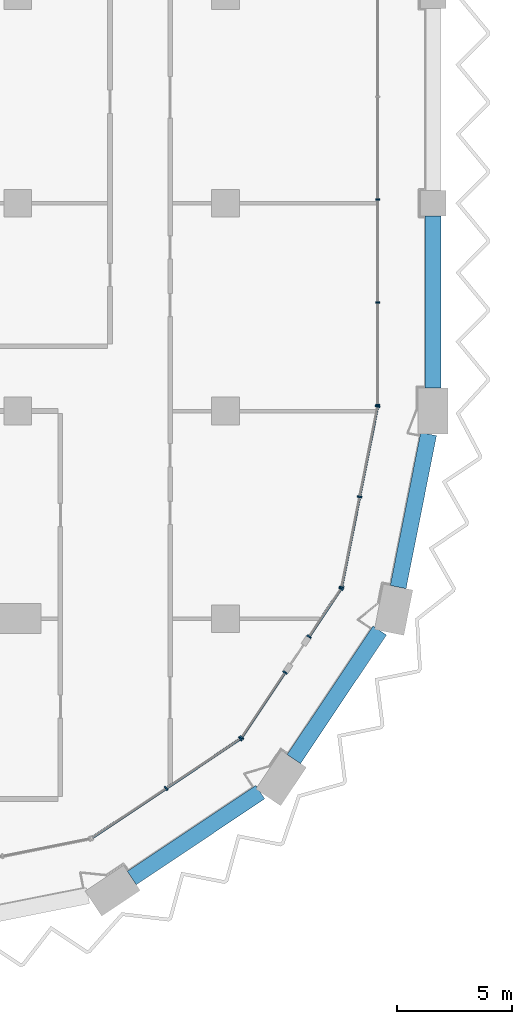
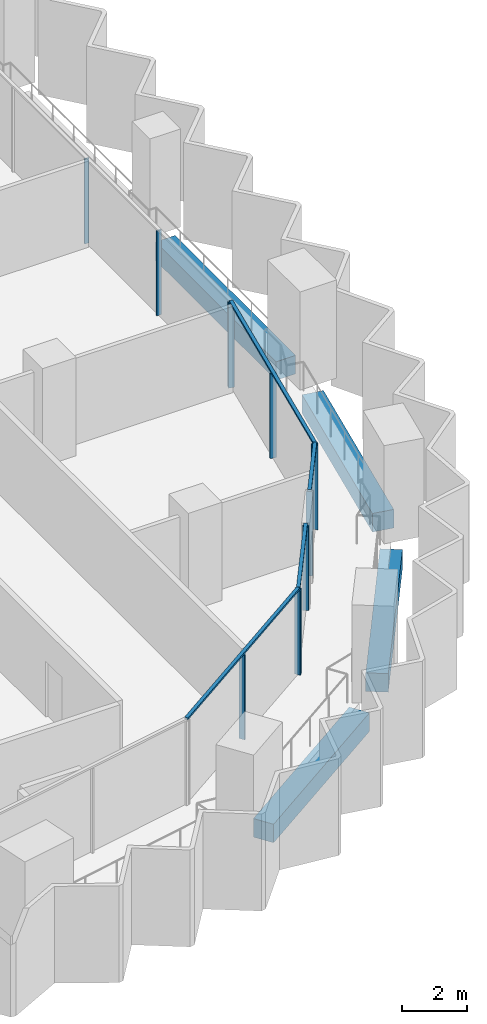
# One storey, part 4 of 22: 16 members, 4 beams, 5 elements without a shape of their own.
"""IFC4 building model written with IfcOpenShell, lengths in metres."""

from ifc_helpers import new_model, si_unit, direction, frame, origin, origin_2d, place, context, subcontext, project, spatial, rectangle, extrude, material, material_profile, profile_set, type_object, element, aggregate, save


model = new_model("IFC4")

# Units and contexts
model_context = context("Model", 3, precision=1e-05, world=origin(), true_north=direction((0.0, 1.0)))
body_context = subcontext(model_context, "Body", "Model", "MODEL_VIEW")
ifc_project = project(units=[si_unit("LENGTHUNIT", "METRE"), si_unit("AREAUNIT", "SQUARE_METRE"), si_unit("VOLUMEUNIT", "CUBIC_METRE"), si_unit("PLANEANGLEUNIT", "RADIAN"), si_unit("MASSUNIT", "GRAM", prefix="KILO")], contexts=[model_context])

# Site, building, storey
site_placement = place(None, origin())
site = spatial("IfcSite", under=ifc_project, at=site_placement, CompositionType="ELEMENT")
building_placement = place(site_placement, origin())
building = spatial("IfcBuilding", under=site, at=building_placement, Name="Hunhe Ridgeline Campus", CompositionType="ELEMENT")
storey_placement = place(building_placement, frame((0.0, 0.0, 174.5)))
storey = spatial("IfcBuildingStorey", under=building, at=storey_placement, Name="L44", CompositionType="ELEMENT", Elevation=174.5)

# Curtain wall, members
ifc_material_1 = material(Name="Aluminium 6063", Category="aluminium")
curtain_wall_type_1 = type_object("IfcCurtainWallType", Name="Curtain wall CW-1", PredefinedType="NOTDEFINED", material=ifc_material_1)
curtain_wall_1_placement = place(storey_placement, origin())
curtain_wall_1 = element("IfcCurtainWall", 1, at=curtain_wall_1_placement, inside=storey, type_object=curtain_wall_type_1, Name="Curtain wall 11", PredefinedType="NOTDEFINED")
ifc_material_profile_1 = material_profile(ifc_material_1, rectangle(XDim=0.159912109375, YDim=0.06005859375, at=origin_2d()))
ifc_profile_set_1 = profile_set([ifc_material_profile_1], Name="Aluminium 6063")
member_type_1 = type_object("IfcMemberType", Name="CW-1 aluminium mullion", PredefinedType="MULLION", material=ifc_profile_set_1)
member_1_placement = place(storey_placement, frame((42.59912109375, 27.266357421875, 0.0), z_axis=(0.0, 0.0, 1.0), x_axis=(-0.99999999999, 4.408911e-06, 0.0)))
member_1 = element("IfcMember", 2, at=member_1_placement, type_object=member_type_1, Name="CW-1 mullion 1", PredefinedType="MULLION", context=body_context, shape_type="SweptSolid", body=[
    extrude(rectangle(XDim=0.159912109375, YDim=0.06005859375, at=origin_2d()), origin(), (0.0, 0.0, 1.0), 3.18994140625),
])
member_2_placement = place(storey_placement, frame((42.59912109375, 31.697021484375, 0.0), z_axis=(0.0, 0.0, 1.0), x_axis=(-0.99999999999, 4.408911e-06, 0.0)))
member_2 = element("IfcMember", 3, at=member_2_placement, type_object=member_type_1, Name="CW-1 mullion 2", PredefinedType="MULLION", context=body_context, shape_type="SweptSolid", body=[
    extrude(rectangle(XDim=0.159912109375, YDim=0.06005859375, at=origin_2d()), origin(), (0.0, 0.0, 1.0), 3.18994140625),
])
member_3_placement = place(storey_placement, frame((42.59912109375, 36.15771484375, 0.0), z_axis=(0.0, 0.0, 1.0), x_axis=(-0.99999999999, 4.408911e-06, 0.0)))
member_3 = element("IfcMember", 4, at=member_3_placement, type_object=member_type_1, Name="CW-1 mullion 3", PredefinedType="MULLION", context=body_context, shape_type="SweptSolid", body=[
    extrude(rectangle(XDim=0.159912109375, YDim=0.06005859375, at=origin_2d()), origin(), (0.0, 0.0, 1.0), 3.18994140625),
])
aggregate(curtain_wall_1, [member_1, member_2, member_3])

curtain_wall_type_2 = type_object("IfcCurtainWallType", Name="Curtain wall CW-5", PredefinedType="NOTDEFINED", material=ifc_material_1)
curtain_wall_2_placement = place(storey_placement, origin())
curtain_wall_2 = element("IfcCurtainWall", 5, at=curtain_wall_2_placement, inside=storey, type_object=curtain_wall_type_2, Name="Curtain wall 07", PredefinedType="NOTDEFINED")
ifc_material_profile_2 = material_profile(ifc_material_1, rectangle(XDim=0.199951171875, YDim=0.070068359375, at=origin_2d()))
ifc_profile_set_2 = profile_set([ifc_material_profile_2], Name="Aluminium 6063")
member_type_2 = type_object("IfcMemberType", Name="CW-5 aluminium mullion", PredefinedType="MULLION", material=ifc_profile_set_2)
member_4_placement = place(storey_placement, frame((33.42626953125, 10.647705078125, 0.0), z_axis=(0.0, 0.0, 1.0), x_axis=(-0.555570274596, 0.831469584522, 0.0)))
member_4 = element("IfcMember", 6, at=member_4_placement, type_object=member_type_2, Name="CW-5 mullion 2", PredefinedType="MULLION", context=body_context, shape_type="SweptSolid", body=[
    extrude(rectangle(XDim=0.199951171875, YDim=0.070068359375, at=origin_2d()), origin(), (0.0, 0.0, 1.0), 3.179931640625),
])
member_5_placement = place(storey_placement, frame((36.649658203125, 12.8017578125, 0.0), z_axis=(0.0, 0.0, 1.0), x_axis=(-0.555570274596, 0.831469584522, 0.0)))
member_5 = element("IfcMember", 7, at=member_5_placement, type_object=member_type_2, Name="CW-5 mullion 3", PredefinedType="MULLION", context=body_context, shape_type="SweptSolid", body=[
    extrude(rectangle(XDim=0.199951171875, YDim=0.070068359375, at=origin_2d()), origin(), (0.0, 0.0, 1.0), 3.179931640625),
])

curtain_wall_3_placement = place(storey_placement, origin())
curtain_wall_3 = element("IfcCurtainWall", 8, at=curtain_wall_3_placement, inside=storey, type_object=curtain_wall_type_2, Name="Curtain wall 08", PredefinedType="NOTDEFINED")
member_6_placement = place(storey_placement, frame((36.6982421875, 12.850341796875, 0.0), z_axis=(0.0, 0.0, 1.0), x_axis=(-0.831469595944, 0.555570257501, 0.0)))
member_6 = element("IfcMember", 9, at=member_6_placement, type_object=member_type_2, Name="CW-5 mullion 1", PredefinedType="MULLION", context=body_context, shape_type="SweptSolid", body=[
    extrude(rectangle(XDim=0.199951171875, YDim=0.070068359375, at=origin_2d()), origin(), (0.0, 0.0, 1.0), 3.179931640625),
])
member_7_placement = place(storey_placement, frame((38.582763671875, 15.67041015625, 0.0), z_axis=(0.0, 0.0, 1.0), x_axis=(-0.831469595944, 0.555570257501, 0.0)))
member_7 = element("IfcMember", 10, at=member_7_placement, type_object=member_type_2, Name="CW-5 mullion 2", PredefinedType="MULLION", context=body_context, shape_type="SweptSolid", body=[
    extrude(rectangle(XDim=0.199951171875, YDim=0.070068359375, at=origin_2d()), origin(), (0.0, 0.0, 1.0), 3.179931640625),
])

curtain_wall_4_placement = place(storey_placement, origin())
curtain_wall_4 = element("IfcCurtainWall", 11, at=curtain_wall_4_placement, inside=storey, type_object=curtain_wall_type_2, Name="Curtain wall 09", PredefinedType="NOTDEFINED")
member_8_placement = place(storey_placement, frame((39.62158203125, 17.225341796875, 0.0), z_axis=(0.0, 0.0, 1.0), x_axis=(-0.831469510353, 0.555570385598, 0.0)))
member_8 = element("IfcMember", 12, at=member_8_placement, type_object=member_type_2, Name="CW-5 mullion 1", PredefinedType="MULLION", context=body_context, shape_type="SweptSolid", body=[
    extrude(rectangle(XDim=0.199951171875, YDim=0.070068359375, at=origin_2d()), origin(), (0.0, 0.0, 1.0), 3.179931640625),
])
member_9_placement = place(storey_placement, frame((41.006103515625, 19.29736328125, 0.0), z_axis=(0.0, 0.0, 1.0), x_axis=(-0.831469510353, 0.555570385598, 0.0)))
member_9 = element("IfcMember", 13, at=member_9_placement, type_object=member_type_2, Name="CW-5 mullion 2", PredefinedType="MULLION", context=body_context, shape_type="SweptSolid", body=[
    extrude(rectangle(XDim=0.199951171875, YDim=0.070068359375, at=origin_2d()), origin(), (0.0, 0.0, 1.0), 3.179931640625),
])

curtain_wall_5_placement = place(storey_placement, origin())
curtain_wall_5 = element("IfcCurtainWall", 14, at=curtain_wall_5_placement, inside=storey, type_object=curtain_wall_type_2, Name="Curtain wall 10", PredefinedType="NOTDEFINED")
member_10_placement = place(storey_placement, frame((41.032470703125, 19.36083984375, 0.0), z_axis=(0.0, 0.0, 1.0), x_axis=(-0.980785284939, 0.195090299215, 0.0)))
member_10 = element("IfcMember", 15, at=member_10_placement, type_object=member_type_2, Name="CW-5 mullion 1", PredefinedType="MULLION", context=body_context, shape_type="SweptSolid", body=[
    extrude(rectangle(XDim=0.199951171875, YDim=0.070068359375, at=origin_2d()), origin(), (0.0, 0.0, 1.0), 3.179931640625),
])
member_11_placement = place(storey_placement, frame((41.812255859375, 23.281494140625, 0.0), z_axis=(0.0, 0.0, 1.0), x_axis=(-0.980785284939, 0.195090299215, 0.0)))
member_11 = element("IfcMember", 16, at=member_11_placement, type_object=member_type_2, Name="CW-5 mullion 2", PredefinedType="MULLION", context=body_context, shape_type="SweptSolid", body=[
    extrude(rectangle(XDim=0.199951171875, YDim=0.070068359375, at=origin_2d()), origin(), (0.0, 0.0, 1.0), 3.179931640625),
])
member_12_placement = place(storey_placement, frame((42.59228515625, 27.2021484375, 0.0), z_axis=(0.0, 0.0, 1.0), x_axis=(-0.980785284939, 0.195090299215, 0.0)))
member_12 = element("IfcMember", 17, at=member_12_placement, type_object=member_type_2, Name="CW-5 mullion 3", PredefinedType="MULLION", context=body_context, shape_type="SweptSolid", body=[
    extrude(rectangle(XDim=0.199951171875, YDim=0.070068359375, at=origin_2d()), origin(), (0.0, 0.0, 1.0), 3.179931640625),
])

# Member
ifc_material_profile_3 = material_profile(ifc_material_1, rectangle(XDim=0.1201171875, YDim=0.070068359375, at=origin_2d()))
ifc_profile_set_3 = profile_set([ifc_material_profile_3], Name="Aluminium 6063")
member_type_3 = type_object("IfcMemberType", Name="CW-5 aluminium transom", PredefinedType="USERDEFINED", material=ifc_profile_set_3)
member_13_placement = place(storey_placement, frame((30.173583984375, 8.474365234375, 3.215087890625), z_axis=(0.831473763475, 0.5555640203, 0.0), x_axis=(-0.5555640203, 0.831473763475, 0.0)))
member_13 = element("IfcMember", 18, at=member_13_placement, type_object=member_type_3, Name="CW-5 transom 1", ObjectType="TRANSOM", PredefinedType="USERDEFINED", context=body_context, shape_type="SweptSolid", body=[
    extrude(rectangle(XDim=0.1201171875, YDim=0.070068359375, at=origin_2d()), origin(), (0.0, 0.0, 1.0), 7.823974609375),
])

aggregate(curtain_wall_2, [member_13, member_4, member_5])

member_14_placement = place(storey_placement, frame((36.678955078125, 12.821044921875, 3.215087890625), z_axis=(0.555546133463, 0.831485714606, 0.0), x_axis=(-0.831485714606, 0.555546133463, 0.0)))
member_14 = element("IfcMember", 19, at=member_14_placement, type_object=member_type_3, Name="CW-5 transom 1", ObjectType="TRANSOM", PredefinedType="USERDEFINED", context=body_context, shape_type="SweptSolid", body=[
    extrude(rectangle(XDim=0.1201171875, YDim=0.070068359375, at=origin_2d()), origin(), (0.0, 0.0, 1.0), 3.462158203125),
])

aggregate(curtain_wall_3, [member_14, member_6, member_7])

member_15_placement = place(storey_placement, frame((39.602294921875, 17.1962890625, 3.215087890625), z_axis=(0.555579547735, 0.831463388334, 0.0), x_axis=(-0.831463388334, 0.555579547735, 0.0)))
member_15 = element("IfcMember", 20, at=member_15_placement, type_object=member_type_3, Name="CW-5 transom 1", ObjectType="TRANSOM", PredefinedType="USERDEFINED", context=body_context, shape_type="SweptSolid", body=[
    extrude(rectangle(XDim=0.1201171875, YDim=0.070068359375, at=origin_2d()), origin(), (0.0, 0.0, 1.0), 2.56201171875),
])

aggregate(curtain_wall_4, [member_15, member_8, member_9])

member_16_placement = place(storey_placement, frame((41.025634765625, 19.326416015625, 3.215087890625), z_axis=(0.195097290093, 0.980783894341, 0.0), x_axis=(-0.980783894341, 0.195097290093, 0.0)))
member_16 = element("IfcMember", 21, at=member_16_placement, type_object=member_type_3, Name="CW-5 transom 1", ObjectType="TRANSOM", PredefinedType="USERDEFINED", context=body_context, shape_type="SweptSolid", body=[
    extrude(rectangle(XDim=0.1201171875, YDim=0.070068359375, at=origin_2d()), origin(), (0.0, 0.0, 1.0), 8.065185546875),
])

aggregate(curtain_wall_5, [member_16, member_10, member_11, member_12])

# Beams
ifc_material_2 = material(Name="Concrete C60", Category="concrete")
ifc_material_profile_4 = material_profile(ifc_material_2, rectangle(XDim=0.699951171875, YDim=0.699951171875, at=origin_2d()))
ifc_profile_set_4 = profile_set([ifc_material_profile_4], Name="Concrete C60")
beam_type = type_object("IfcBeamType", Name="RC spandrel beam 700x700 Concrete C60", PredefinedType="SPANDREL", material=ifc_profile_set_4)
for number, where, z_axis, x_axis, name in (
    (22, (31.94189453125, 6.768310546875, -0.60009765625), (0.831472141711, 0.555566447474, 0.0), (-0.555566447474, 0.831472141711, 0.0), "Spandrel beam B2-6 L44"),
    (23, (38.965576171875, 11.921630859375, -0.60009765625), (0.555566447474, 0.831472141711, 0.0), (-0.831472141711, 0.555566447474, 0.0), "Spandrel beam B2-7 L44"),
):
    element("IfcBeam", number, at=place(storey_placement, frame(where, z_axis=z_axis, x_axis=x_axis)), inside=storey, type_object=beam_type, Name=name, PredefinedType="SPANDREL", context=body_context, shape_type="SweptSolid", body=[
        extrude(rectangle(XDim=0.699951171875, YDim=0.699951171875, at=origin_2d()), origin(), (0.0, 0.0, 1.0), 6.69677734375),
    ])
beam_1_placement = place(storey_placement, frame((43.482421875, 19.370361328125, -0.60009765625), z_axis=(0.195074154586, 0.980788496166, 0.0), x_axis=(-0.980788496166, 0.195074154586, 0.0)))
element("IfcBeam", 24, at=beam_1_placement, inside=storey, type_object=beam_type, Name="Spandrel beam B2-8 L44", PredefinedType="SPANDREL", context=body_context, shape_type="SweptSolid", body=[
    extrude(rectangle(XDim=0.699951171875, YDim=0.699951171875, at=origin_2d()), origin(), (0.0, 0.0, 1.0), 6.759521484375),
])
beam_2_placement = place(storey_placement, frame((45.0, 28.0, -0.60009765625), z_axis=(0.0, 1.0, 0.0), x_axis=(-1.0, 0.0, 0.0)))
element("IfcBeam", 25, at=beam_2_placement, inside=storey, type_object=beam_type, Name="Spandrel beam B2-9 L44", PredefinedType="SPANDREL", context=body_context, shape_type="SweptSolid", body=[
    extrude(rectangle(XDim=0.699951171875, YDim=0.699951171875, at=origin_2d()), origin(), (0.0, 0.0, 1.0), 7.449951171875),
])

save(model, "model.ifc")
